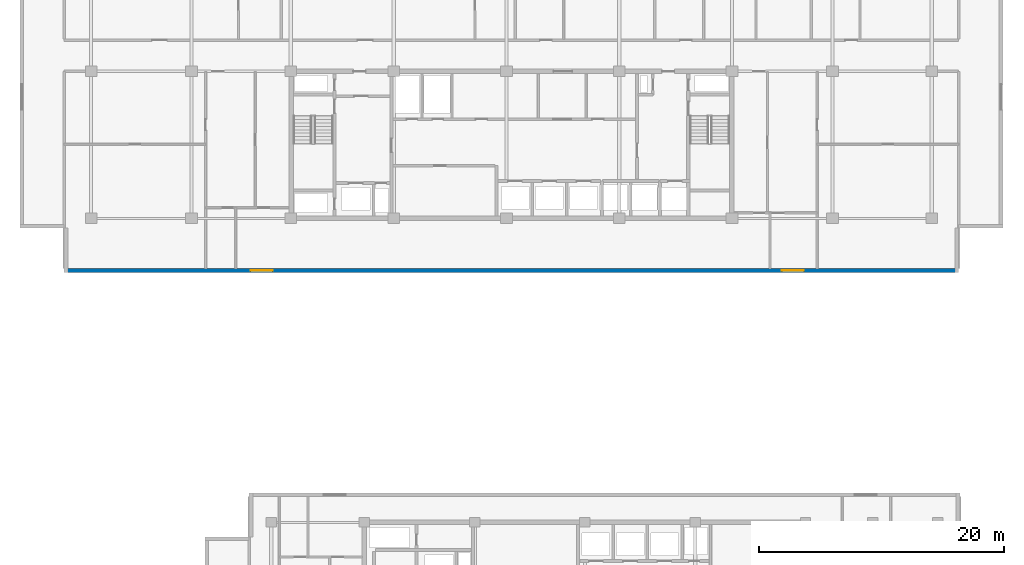
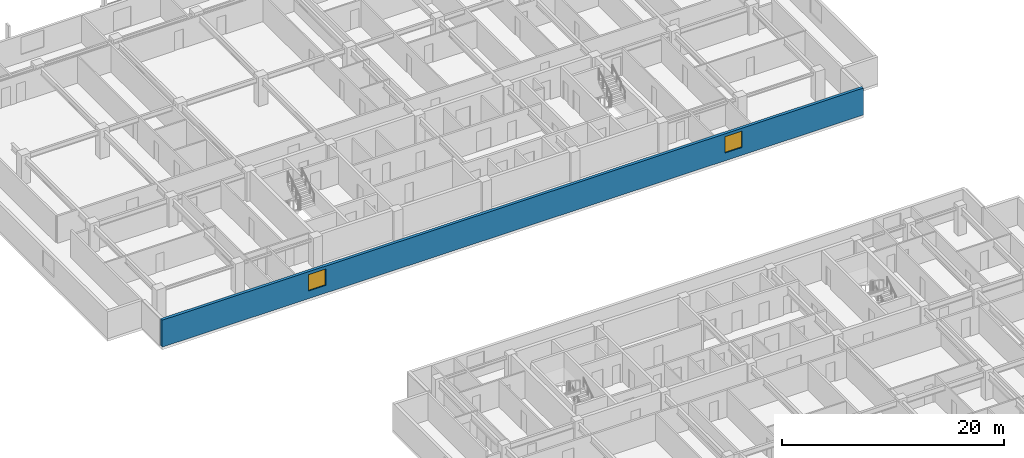
# One storey, part 8 of 21: 2 windows, 1 wall, 2 openings.
"""IFC4 building model written with IfcOpenShell, lengths in metres."""

from ifc_helpers import new_model, si_unit, direction, frame, frame_2d, origin, place, context, subcontext, project, spatial, rectangle, extrude, material, layer, layer_set, type_object, element, fill, save


model = new_model("IFC4")

# Units and contexts
model_context = context("Model", 3, precision=1e-05, world=origin(), true_north=direction((0.0, 1.0)))
body_context = subcontext(model_context, "Body", "Model", "MODEL_VIEW")
ifc_project = project(units=[si_unit("LENGTHUNIT", "METRE"), si_unit("AREAUNIT", "SQUARE_METRE"), si_unit("VOLUMEUNIT", "CUBIC_METRE"), si_unit("PLANEANGLEUNIT", "RADIAN"), si_unit("MASSUNIT", "GRAM", prefix="KILO")], contexts=[model_context])

# Site, building, storey
site_placement = place(None, origin())
site = spatial("IfcSite", under=ifc_project, at=site_placement, CompositionType="ELEMENT")
building_placement = place(site_placement, origin())
building = spatial("IfcBuilding", under=site, at=building_placement, Name="Korimba Cascade Residences", CompositionType="ELEMENT")
storey_placement = place(building_placement, frame((0.0, 0.0, 106.800048828125)))
storey = spatial("IfcBuildingStorey", under=building, at=storey_placement, Name="L30", CompositionType="ELEMENT", Elevation=106.800048828125)

# Wall, openings, windows
ifc_material_1 = material(Name="Precast concrete C40/50", Category="concrete")
ifc_layer = layer(ifc_material_1, 0.300048828125)
ifc_layer_set = layer_set([ifc_layer], Name="Precast concrete C40/50")
wall_type = type_object("IfcWallType", Name="EW-STONE-300", PredefinedType="STANDARD", material=ifc_layer_set)
wall_placement = place(storey_placement, frame((57.60009765625, 50.949951171875, 0.0), z_axis=(0.0, 0.0, 1.0), x_axis=(1.0, 0.0, 0.0)))
wall = element("IfcWall", 1, at=wall_placement, inside=storey, type_object=wall_type, Name="L30 T1 Perimeter Stone Wall E00", PredefinedType="STANDARD", context=body_context, shape_type="SweptSolid", body=[
    extrude(rectangle(XDim=73.0, YDim=0.300048828125, at=frame_2d((36.5, 0.0))), origin(), (0.0, 0.0, 1.0), 2.969970703125),
])
opening_1_placement = place(wall_placement, frame((15.22509765625, 0.0, 0.85009765625)))
opening_1 = element("IfcOpeningElement", 2, at=opening_1_placement, cuts=wall, Name="Opening W-02", PredefinedType="OPENING", context=body_context, shape_type="SweptSolid", body=[
    extrude(rectangle(XDim=1.800048828125, YDim=1.800048828125, at=frame_2d((0.89990234375, 0.89990234375))), frame((0.0, 0.16015625, 0.0), z_axis=(0.0, -1.0, 0.0), x_axis=(1.0, 0.0, 0.0)), (0.0, 0.0, 1.0), 0.320068359375),
])
opening_2_placement = place(wall_placement, frame((58.574951171875, 0.0, 0.85009765625)))
opening_2 = element("IfcOpeningElement", 3, at=opening_2_placement, cuts=wall, Name="Opening W-02", PredefinedType="OPENING", context=body_context, shape_type="SweptSolid", body=[
    extrude(rectangle(XDim=1.800048828125, YDim=1.800048828125, at=frame_2d((0.89990234375, 0.89990234375))), frame((0.0, 0.16015625, 0.0), z_axis=(0.0, -1.0, 0.0), x_axis=(1.0, 0.0, 0.0)), (0.0, 0.0, 1.0), 0.320068359375),
])
ifc_material_2 = material(Name="Double-Glazed Aluminium Window", Category="aluminium")
window_type = type_object("IfcWindowType", Name="WIN-BED-1800", PartitioningType="SINGLE_PANEL", PredefinedType="WINDOW", material=ifc_material_2)
window_1_placement = place(opening_1_placement, origin())
window_1 = element("IfcWindow", 4, at=window_1_placement, inside=storey, type_object=window_type, Name="L30 T1 South Corner Bedroom Window 1", OverallHeight=1.800048828125, OverallWidth=1.800048828125, PartitioningType="SINGLE_PANEL", PredefinedType="WINDOW", context=body_context, shape_type="SweptSolid", body=[
    extrude(rectangle(XDim=1.800048828125, YDim=1.800048828125, at=frame_2d((0.89990234375, 0.89990234375))), frame((0.0, 0.030029296875, 0.0), z_axis=(0.0, -1.0, 0.0), x_axis=(1.0, 0.0, 0.0)), (0.0, 0.0, 1.0), 0.06005859375),
])
fill(opening_1, window_1)
window_2_placement = place(opening_2_placement, origin())
window_2 = element("IfcWindow", 5, at=window_2_placement, inside=storey, type_object=window_type, Name="L30 T1 South Corner Bedroom Window 2", OverallHeight=1.800048828125, OverallWidth=1.800048828125, PartitioningType="SINGLE_PANEL", PredefinedType="WINDOW", context=body_context, shape_type="SweptSolid", body=[
    extrude(rectangle(XDim=1.800048828125, YDim=1.800048828125, at=frame_2d((0.89990234375, 0.89990234375))), frame((0.0, 0.030029296875, 0.0), z_axis=(0.0, -1.0, 0.0), x_axis=(1.0, 0.0, 0.0)), (0.0, 0.0, 1.0), 0.06005859375),
])
fill(opening_2, window_2)

save(model, "model.ifc")
